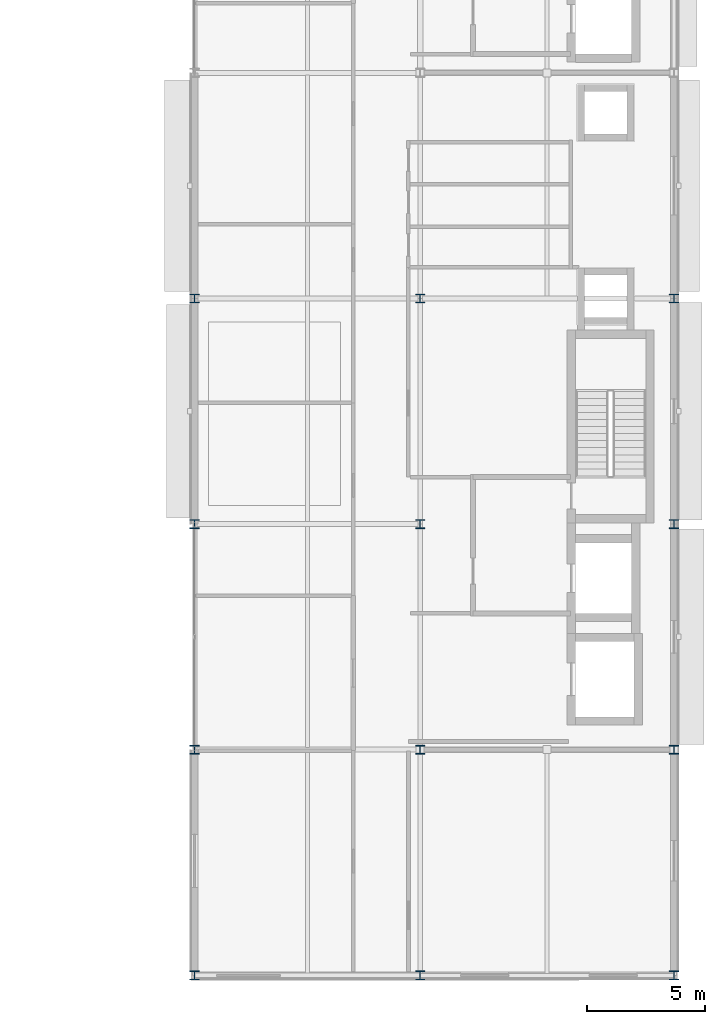
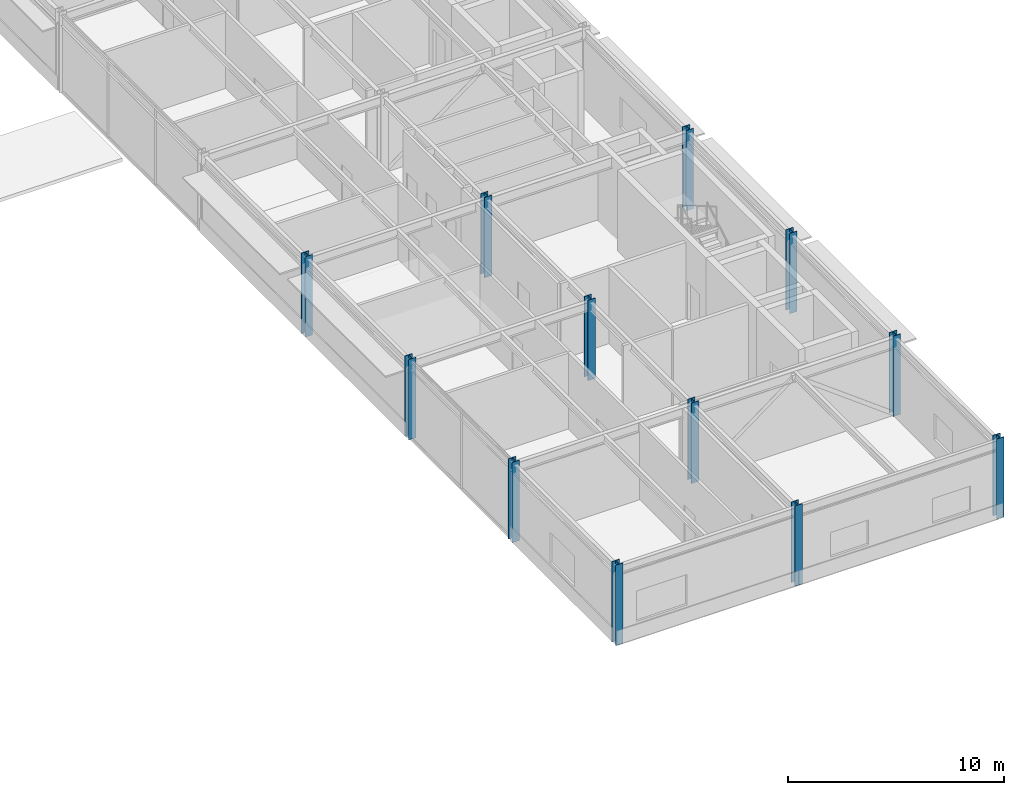
# One storey, part 15 of 133: 12 columns.
"""IFC4 building model written with IfcOpenShell, lengths in metres."""

from ifc_helpers import new_model, si_unit, direction, frame, origin, origin_2d, place, context, subcontext, project, spatial, i_section, extrude, material, material_profile, profile_set, type_object, element, save


model = new_model("IFC4")

# Units and contexts
model_context = context("Model", 3, precision=1e-05, world=origin(), true_north=direction((0.0, 1.0)))
body_context = subcontext(model_context, "Body", "Model", "MODEL_VIEW")
ifc_project = project(units=[si_unit("LENGTHUNIT", "METRE"), si_unit("AREAUNIT", "SQUARE_METRE"), si_unit("VOLUMEUNIT", "CUBIC_METRE"), si_unit("PLANEANGLEUNIT", "RADIAN"), si_unit("MASSUNIT", "GRAM", prefix="KILO")], contexts=[model_context])

# Site, building, storey
site_placement = place(None, origin())
site = spatial("IfcSite", under=ifc_project, at=site_placement, CompositionType="ELEMENT")
building_placement = place(site_placement, origin())
building = spatial("IfcBuilding", under=site, at=building_placement, Name="Almandine Court Research Institute", CompositionType="ELEMENT")
storey_placement = place(building_placement, frame((0.0, 0.0, 9.800048828125)))
storey = spatial("IfcBuildingStorey", under=building, at=storey_placement, Name="L02", CompositionType="ELEMENT", Elevation=9.800048828125)

# Columns
ifc_material = material(Name="Steel ASTM A992 Grade 50", Category="steel")
ifc_material_profile_1 = material_profile(ifc_material, i_section(OverallWidth=0.39404296875, OverallDepth=0.375, WebThickness=0.02001953125, FlangeThickness=0.031982421875, at=origin_2d()), Name="W360x216")
ifc_profile_set_1 = profile_set([ifc_material_profile_1], Name="Steel ASTM A992 Grade 50")
column_type_1 = type_object("IfcColumnType", Name="Col-C-W02", PredefinedType="COLUMN", material=ifc_profile_set_1)
for number, where, z_axis, x_axis, name in (
    (1, (153.60009765625, 15.60009765625, 0.0), (0.0, 0.0, 1.0), (1.0, 0.0, 0.0), "L02 V4 Column V4-X2Y2"),
    (2, (153.60009765625, 25.199951171875, 0.0), (0.0, 0.0, 1.0), (1.0, 0.0, 0.0), "L02 V4 Column V4-X2Y3"),
    (3, (153.60009765625, 34.800048828125, 0.0), (0.0, 0.0, 1.0), (1.0, 0.0, 0.0), "L02 V4 Column V4-X2Y4"),
    (4, (163.199951171875, 15.60009765625, 0.0), (0.0, 0.0, 1.0), (1.0, 0.0, 0.0), "L02 V4 Column V4-X3Y2"),
    (5, (163.199951171875, 25.199951171875, 0.0), (0.0, 0.0, 1.0), (1.0, 0.0, 0.0), "L02 V4 Column V4-X3Y3"),
    (6, (163.199951171875, 34.800048828125, 0.0), (0.0, 0.0, 1.0), (1.0, 0.0, 0.0), "L02 V4 Column V4-X3Y4"),
):
    element("IfcColumn", number, at=place(storey_placement, frame(where, z_axis=z_axis, x_axis=x_axis)), inside=storey, type_object=column_type_1, Name=name, PredefinedType="COLUMN", context=body_context, shape_type="SweptSolid", body=[
        extrude(i_section(OverallWidth=0.39404296875, OverallDepth=0.375, WebThickness=0.02001953125, FlangeThickness=0.031982421875, at=origin_2d()), origin(), (0.0, 0.0, 1.0), 4.550048828125),
    ])
ifc_material_profile_2 = material_profile(ifc_material, i_section(OverallWidth=0.39404296875, OverallDepth=0.375, WebThickness=0.02001953125, FlangeThickness=0.031982421875, at=origin_2d()), Name="W360x216")
ifc_profile_set_2 = profile_set([ifc_material_profile_2], Name="Steel ASTM A992 Grade 50")
column_type_2 = type_object("IfcColumnType", Name="Col-C-W02-E", PredefinedType="COLUMN", material=ifc_profile_set_2)
for number, where, z_axis, x_axis, name in (
    (7, (153.60009765625, 6.0, 0.0), (0.0, 0.0, 1.0), (1.0, 0.0, 0.0), "L02 V4 Column V4-X2Y1"),
    (8, (163.199951171875, 6.0, 0.0), (0.0, 0.0, 1.0), (1.0, 0.0, 0.0), "L02 V4 Column V4-X3Y1"),
    (9, (174.0, 6.0, 0.0), (0.0, 0.0, 1.0), (1.0, 0.0, 0.0), "L02 V4 Column V4-X4Y1"),
    (10, (174.0, 15.60009765625, 0.0), (0.0, 0.0, 1.0), (1.0, 0.0, 0.0), "L02 V4 Column V4-X4Y2"),
    (11, (174.0, 25.199951171875, 0.0), (0.0, 0.0, 1.0), (1.0, 0.0, 0.0), "L02 V4 Column V4-X4Y3"),
    (12, (174.0, 34.800048828125, 0.0), (0.0, 0.0, 1.0), (1.0, 0.0, 0.0), "L02 V4 Column V4-X4Y4"),
):
    element("IfcColumn", number, at=place(storey_placement, frame(where, z_axis=z_axis, x_axis=x_axis)), inside=storey, type_object=column_type_2, Name=name, PredefinedType="COLUMN", context=body_context, shape_type="SweptSolid", body=[
        extrude(i_section(OverallWidth=0.39404296875, OverallDepth=0.375, WebThickness=0.02001953125, FlangeThickness=0.031982421875, at=origin_2d()), origin(), (0.0, 0.0, 1.0), 4.550048828125),
    ])

save(model, "model.ifc")
